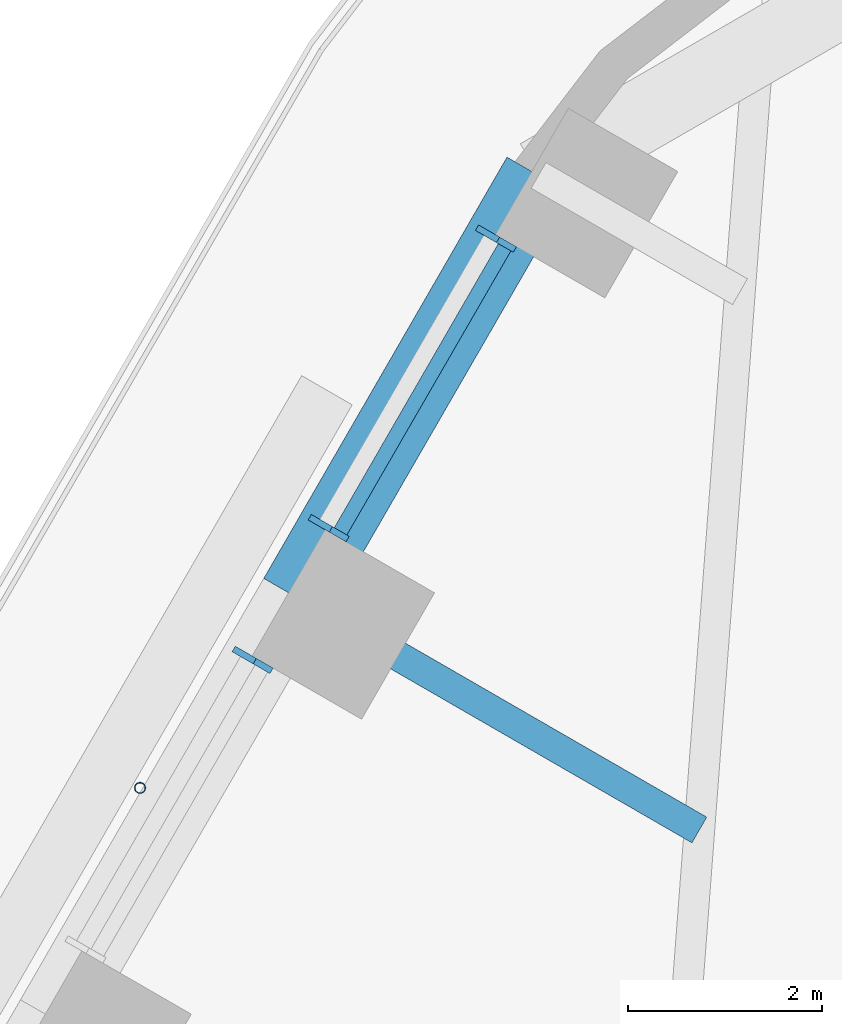
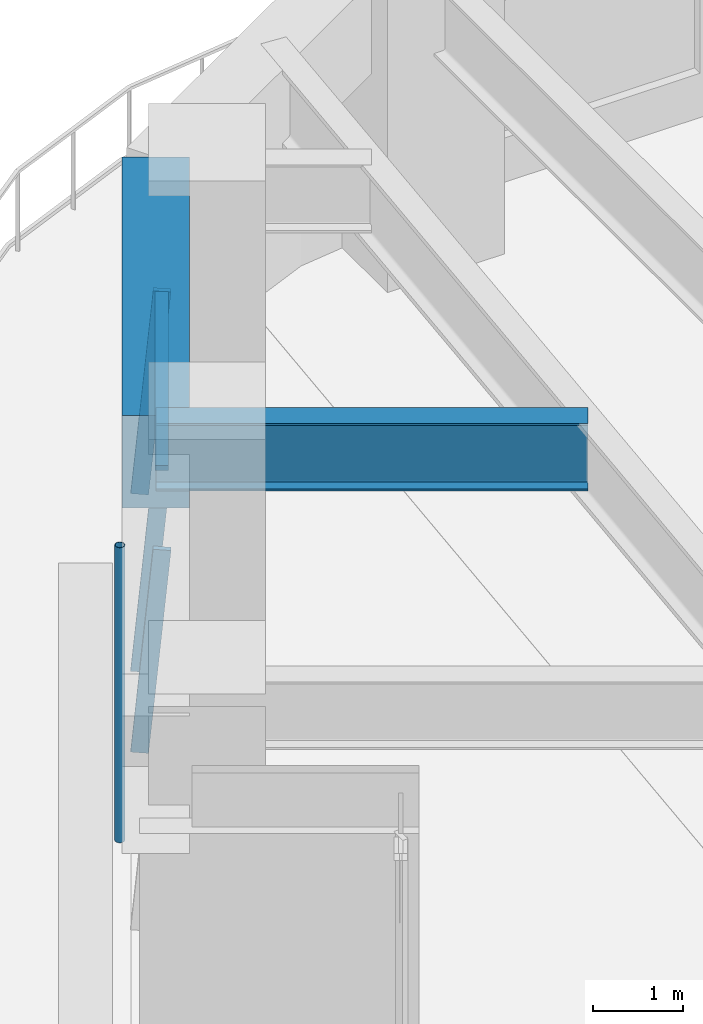
# One storey, part 9 of 24: 5 members, 2 beams, 2 elements without a shape of their own.
"""IFC4 building model written with IfcOpenShell, lengths in metres."""

from ifc_helpers import new_model, si_unit, direction, frame, origin, origin_2d, place, context, subcontext, project, spatial, rectangle, hollow_circle, i_section, extrude, material, material_profile, profile_set, type_object, element, aggregate, save


model = new_model("IFC4")

# Units and contexts
model_context = context("Model", 3, precision=1e-05, world=origin(), true_north=direction((0.0, 1.0)))
body_context = subcontext(model_context, "Body", "Model", "MODEL_VIEW")
ifc_project = project(units=[si_unit("LENGTHUNIT", "METRE"), si_unit("AREAUNIT", "SQUARE_METRE"), si_unit("VOLUMEUNIT", "CUBIC_METRE"), si_unit("PLANEANGLEUNIT", "RADIAN"), si_unit("MASSUNIT", "GRAM", prefix="KILO")], contexts=[model_context])

# Site, building, storey
site_placement = place(None, origin())
site = spatial("IfcSite", under=ifc_project, at=site_placement, CompositionType="ELEMENT")
building_placement = place(site_placement, origin())
building = spatial("IfcBuilding", under=site, at=building_placement, Name="Tarfa Lantern Tower", CompositionType="ELEMENT")
storey_placement = place(building_placement, frame((0.0, 0.0, 190.89990234375)))
storey = spatial("IfcBuildingStorey", under=building, at=storey_placement, Name="L43", CompositionType="ELEMENT", Elevation=190.89990234375)

# Curtain wall, members
ifc_material_1 = material(Name="Aluminium framed curtain wall", Category="aluminium")
curtain_wall_type = type_object("IfcCurtainWallType", Name="CW2 CANTED GLAZING MID ZONE 2750", PredefinedType="USERDEFINED", material=ifc_material_1)
curtain_wall_1_placement = place(storey_placement, origin())
curtain_wall_1 = element("IfcCurtainWall", 1, at=curtain_wall_1_placement, inside=storey, type_object=curtain_wall_type, Name="CW2 NW L43", ObjectType="CURTAIN WALL", PredefinedType="USERDEFINED")
ifc_material_2 = material(Name="Aluminium mullion", Category="aluminium")
ifc_material_profile_1 = material_profile(ifc_material_2, rectangle(XDim=0.06494140625, YDim=0.199951171875, at=origin_2d()), Name="AL MULLION 65x200")
ifc_profile_set_1 = profile_set([ifc_material_profile_1], Name="Aluminium mullion")
member_type_1 = type_object("IfcMemberType", Name="CWM1 MULLION 65x200", PredefinedType="MULLION", material=ifc_profile_set_1)
member_1_placement = place(storey_placement, frame((-20.078857421875, 28.022216796875, 0.0), z_axis=(0.078422950161, -0.045267813396, 0.995891894715), x_axis=(0.499919672301, 0.866071776036, 0.0)))
member_1 = element("IfcMember", 2, at=member_1_placement, type_object=member_type_1, Name="CW2 mullion 1", PredefinedType="MULLION", context=body_context, shape_type="SweptSolid", body=[
    extrude(rectangle(XDim=0.06494140625, YDim=0.199951171875, at=origin_2d()), origin(), (0.0, 0.0, 1.0), 2.76123046875),
])
member_2_placement = place(storey_placement, frame((-21.79833984375, 25.04443359375, 0.0), z_axis=(0.078422950161, -0.045267813396, 0.995891894715), x_axis=(0.499919672301, 0.866071776036, 0.0)))
member_2 = element("IfcMember", 3, at=member_2_placement, type_object=member_type_1, Name="CW2 mullion 2", PredefinedType="MULLION", context=body_context, shape_type="SweptSolid", body=[
    extrude(rectangle(XDim=0.06494140625, YDim=0.199951171875, at=origin_2d()), origin(), (0.0, 0.0, 1.0), 2.76123046875),
])

# Curtain wall, member
curtain_wall_2_placement = place(storey_placement, origin())
curtain_wall_2 = element("IfcCurtainWall", 4, at=curtain_wall_2_placement, inside=storey, type_object=curtain_wall_type, Name="CW2 NW L43", ObjectType="CURTAIN WALL", PredefinedType="USERDEFINED")
member_3_placement = place(storey_placement, frame((-22.580810546875, 23.68896484375, 0.0), z_axis=(0.078422950161, -0.045267813396, 0.995891894715), x_axis=(0.499919672301, 0.866071776036, 0.0)))
member_3 = element("IfcMember", 5, at=member_3_placement, type_object=member_type_1, Name="CW2 mullion 1", PredefinedType="MULLION", context=body_context, shape_type="SweptSolid", body=[
    extrude(rectangle(XDim=0.06494140625, YDim=0.199951171875, at=origin_2d()), origin(), (0.0, 0.0, 1.0), 2.76123046875),
])
aggregate(curtain_wall_2, [member_3])

# Member
ifc_material_3 = material(Name="Aluminium transom", Category="aluminium")
ifc_material_profile_2 = material_profile(ifc_material_3, rectangle(XDim=0.14990234375, YDim=0.06494140625, at=origin_2d()), Name="AL TRANSOM 150x65")
ifc_profile_set_2 = profile_set([ifc_material_profile_2], Name="Aluminium transom")
member_type_2 = type_object("IfcMemberType", Name="CWT1 TRANSOM 150x65", PredefinedType="USERDEFINED", material=ifc_profile_set_2)
member_4_placement = place(storey_placement, frame((-19.881103515625, 27.87060546875, 2.717529296875), z_axis=(-0.500046095904, -0.865998788666, 0.0), x_axis=(0.865998788666, -0.500046095904, 0.0)))
member_4 = element("IfcMember", 6, at=member_4_placement, type_object=member_type_2, Name="CW2 transom 1.2", ObjectType="TRANSOM", PredefinedType="USERDEFINED", context=body_context, shape_type="SweptSolid", body=[
    extrude(rectangle(XDim=0.14990234375, YDim=0.06494140625, at=origin_2d()), origin(), (0.0, 0.0, 1.0), 3.373779296875),
])

aggregate(curtain_wall_1, [member_1, member_2, member_4])

# Beam
ifc_material_4 = material(Name="Concrete C80/95", Category="concrete")
ifc_material_profile_3 = material_profile(ifc_material_4, rectangle(XDim=0.75, YDim=1.25, at=origin_2d()), Name="RC 750x1250")
ifc_profile_set_3 = profile_set([ifc_material_profile_3], Name="Concrete C80/95")
beam_type_1 = type_object("IfcBeamType", Name="EB2 RC 750x1250", PredefinedType="SPANDREL", material=ifc_profile_set_3)
beam_1_placement = place(storey_placement, frame((-19.53173828125, 28.610107421875, 3.375), z_axis=(-0.500001197378, -0.866024712477, 0.0), x_axis=(0.866024712477, -0.500001197378, 0.0)))
element("IfcBeam", 7, at=beam_1_placement, inside=storey, type_object=beam_type_1, Name="Edge beam NW0", PredefinedType="SPANDREL", context=body_context, shape_type="SweptSolid", body=[
    extrude(rectangle(XDim=0.75, YDim=1.25, at=origin_2d()), origin(), (0.0, 0.0, 1.0), 5.00390625),
])

# Member
ifc_material_5 = material(Name="Steel S355", Category="steel")
ifc_material_profile_4 = material_profile(ifc_material_5, hollow_circle(Radius=0.05712890625, WallThickness=0.00634765625, at=origin_2d()), Name="CHS114.3x6.3")
ifc_profile_set_4 = profile_set([ifc_material_profile_4], Name="Steel S355")
member_type_3 = type_object("IfcMemberType", Name="TR1 GREEN WALL TRELLIS CHS114.3x6.3", PredefinedType="USERDEFINED", material=ifc_profile_set_4)
member_5_placement = place(storey_placement, frame((-23.630859375, 22.31005859375, 0.0), z_axis=(0.0, 0.0, 1.0), x_axis=(1.0, 0.0, 0.0)))
element("IfcMember", 8, at=member_5_placement, inside=storey, type_object=member_type_3, Name="Trellis post NW 1", ObjectType="TRELLIS", PredefinedType="USERDEFINED", context=body_context, shape_type="SweptSolid", body=[
    extrude(hollow_circle(Radius=0.05712890625, WallThickness=0.00634765625, at=origin_2d()), origin(), (0.0, 0.0, 1.0), 4.0),
])

# Beam
ifc_material_6 = material(Name="Steel S460M", Category="steel")
ifc_material_profile_5 = material_profile(ifc_material_6, i_section(OverallWidth=0.305419921875, OverallDepth=0.91845703125, WebThickness=0.017333984375, FlangeThickness=0.02783203125, FilletRadius=0.01904296875, at=origin_2d()), Name="UB914x305x253")
ifc_profile_set_5 = profile_set([ifc_material_profile_5], Name="Steel S460M")
beam_type_2 = type_object("IfcBeamType", Name="UB914x305x253", PredefinedType="BEAM", material=ifc_profile_set_5)
beam_2_placement = place(storey_placement, frame((-22.03369140625, 24.276611328125, 3.541015625), z_axis=(0.866030550462, -0.499991085587, 0.0), x_axis=(0.499991085587, 0.866030550462, 0.0)))
element("IfcBeam", 9, at=beam_2_placement, inside=storey, type_object=beam_type_2, Name="Floor beam NW1", PredefinedType="BEAM", context=body_context, shape_type="SweptSolid", body=[
    extrude(i_section(OverallWidth=0.305419921875, OverallDepth=0.91845703125, WebThickness=0.017333984375, FlangeThickness=0.02783203125, FilletRadius=0.01904296875, at=origin_2d()), origin(), (0.0, 0.0, 1.0), 4.798828125),
])

save(model, "model.ifc")
